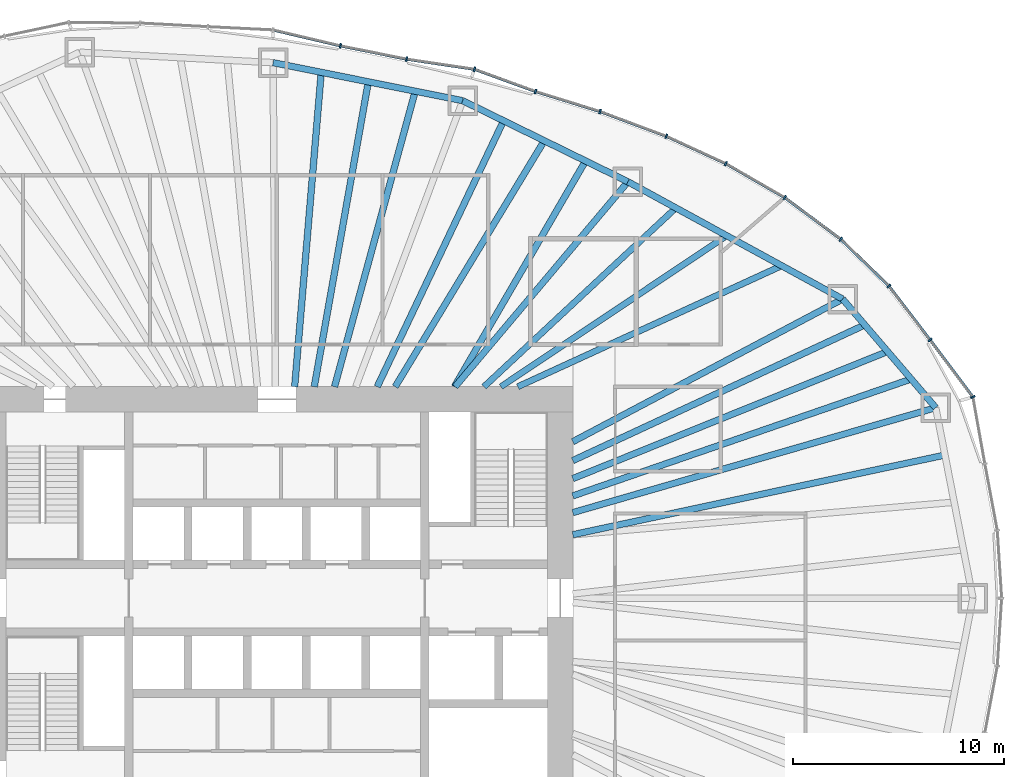
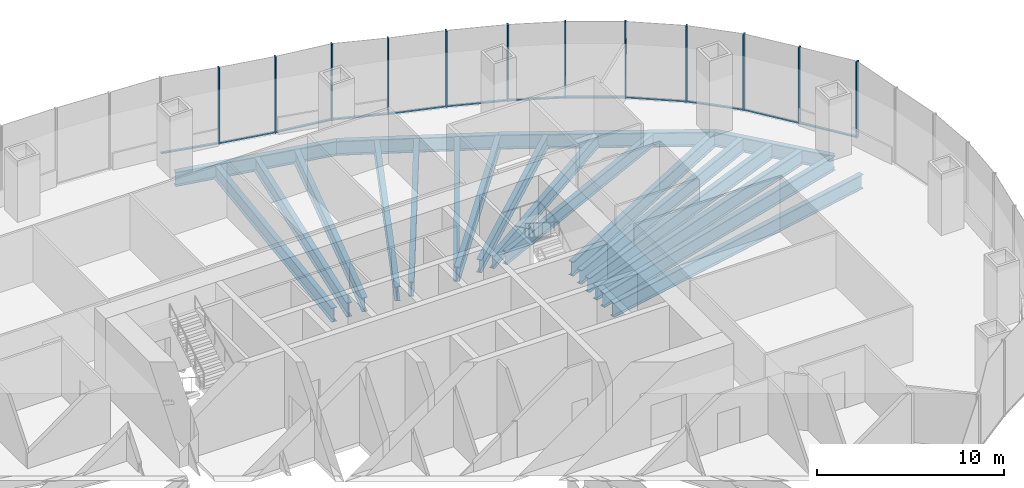
# One storey, part 6 of 18: 24 members, 20 beams, 4 elements without a shape of their own.
"""IFC4 building model written with IfcOpenShell, lengths in metres."""

from ifc_helpers import new_model, si_unit, direction, frame, origin, origin_2d, place, context, subcontext, project, spatial, rectangle, i_section, extrude, material, material_profile, profile_set, type_object, element, aggregate, save


model = new_model("IFC4")

# Units and contexts
model_context = context("Model", 3, precision=1e-05, world=origin(), true_north=direction((0.0, 1.0)))
body_context = subcontext(model_context, "Body", "Model", "MODEL_VIEW")
ifc_project = project(units=[si_unit("LENGTHUNIT", "METRE"), si_unit("AREAUNIT", "SQUARE_METRE"), si_unit("VOLUMEUNIT", "CUBIC_METRE"), si_unit("PLANEANGLEUNIT", "RADIAN"), si_unit("MASSUNIT", "GRAM", prefix="KILO")], contexts=[model_context])

# Site, building, storey
site_placement = place(None, origin())
site = spatial("IfcSite", under=ifc_project, at=site_placement, CompositionType="ELEMENT")
building_placement = place(site_placement, origin())
building = spatial("IfcBuilding", under=site, at=building_placement, Name="Ghaith Harvest Tower", CompositionType="ELEMENT")
storey_placement = place(building_placement, frame((0.0, 0.0, 95.0)))
storey = spatial("IfcBuildingStorey", under=building, at=storey_placement, Name="L19", CompositionType="ELEMENT", Elevation=95.0)

# Curtain wall, members
ifc_material_1 = material(Name="Black anodised aluminium and fritted glass", Category="aluminium")
curtain_wall_type = type_object("IfcCurtainWallType", Name="CW-F CURTAIN WALL", PredefinedType="NOTDEFINED", material=ifc_material_1)
curtain_wall_1_placement = place(storey_placement, origin())
curtain_wall_1 = element("IfcCurtainWall", 1, at=curtain_wall_1_placement, inside=storey, type_object=curtain_wall_type, Name="Curtain wall CW-F bay 02 L19", PredefinedType="NOTDEFINED")
ifc_material_2 = material(Name="Aluminium, black anodised", Category="aluminium")
ifc_material_profile_1 = material_profile(ifc_material_2, rectangle(XDim=0.080078125, YDim=0.219970703125, at=origin_2d()), Name="CW-F MULLION 80x220")
ifc_profile_set_1 = profile_set([ifc_material_profile_1], Name="Aluminium, black anodised")
member_type_1 = type_object("IfcMemberType", Name="CW-F MULLION 80x220", PredefinedType="MULLION", material=ifc_profile_set_1)
member_1_placement = place(storey_placement, frame((32.923583984375, 9.515625, 0.0), z_axis=(0.0, 0.0, 1.0), x_axis=(-0.404701693729, 0.914448762421, 0.0)))
member_1 = element("IfcMember", 2, at=member_1_placement, type_object=member_type_1, Name="CW-F mullion 1 bay 02 L19", PredefinedType="MULLION", context=body_context, shape_type="SweptSolid", body=[
    extrude(rectangle(XDim=0.080078125, YDim=0.219970703125, at=origin_2d()), origin(), (0.0, 0.0, 1.0), 5.0),
])
member_2_placement = place(storey_placement, frame((30.896728515625, 12.215087890625, 0.0), z_axis=(0.0, 0.0, 1.0), x_axis=(-0.603948315345, 0.797023482961, 0.0)))
member_2 = element("IfcMember", 3, at=member_2_placement, type_object=member_type_1, Name="CW-F mullion 2 bay 02 L19", PredefinedType="MULLION", context=body_context, shape_type="SweptSolid", body=[
    extrude(rectangle(XDim=0.080078125, YDim=0.219970703125, at=origin_2d()), origin(), (0.0, 0.0, 1.0), 5.0),
])
member_3_placement = place(storey_placement, frame((28.947021484375, 14.763427734375, 0.0), z_axis=(0.0, 0.0, 1.0), x_axis=(-0.663604797296, 0.748083332929, 0.0)))
member_3 = element("IfcMember", 4, at=member_3_placement, type_object=member_type_1, Name="CW-F mullion 3 bay 02 L19", PredefinedType="MULLION", context=body_context, shape_type="SweptSolid", body=[
    extrude(rectangle(XDim=0.080078125, YDim=0.219970703125, at=origin_2d()), origin(), (0.0, 0.0, 1.0), 5.0),
])

curtain_wall_2_placement = place(storey_placement, origin())
curtain_wall_2 = element("IfcCurtainWall", 5, at=curtain_wall_2_placement, inside=storey, type_object=curtain_wall_type, Name="Curtain wall CW-F bay 03 L19", PredefinedType="NOTDEFINED")
member_4_placement = place(storey_placement, frame((26.673828125, 16.9755859375, 0.0), z_axis=(0.0, 0.0, 1.0), x_axis=(-0.762365981091, 0.647146127915, 0.0)))
member_4 = element("IfcMember", 6, at=member_4_placement, type_object=member_type_1, Name="CW-F mullion 1 bay 03 L19", PredefinedType="MULLION", context=body_context, shape_type="SweptSolid", body=[
    extrude(rectangle(XDim=0.080078125, YDim=0.219970703125, at=origin_2d()), origin(), (0.0, 0.0, 1.0), 5.0),
])
member_5_placement = place(storey_placement, frame((24.018310546875, 18.947265625, 0.0), z_axis=(0.0, 0.0, 1.0), x_axis=(-0.835443516723, 0.549576318963, 0.0)))
member_5 = element("IfcMember", 7, at=member_5_placement, type_object=member_type_1, Name="CW-F mullion 2 bay 03 L19", PredefinedType="MULLION", context=body_context, shape_type="SweptSolid", body=[
    extrude(rectangle(XDim=0.080078125, YDim=0.219970703125, at=origin_2d()), origin(), (0.0, 0.0, 1.0), 5.0),
])
member_6_placement = place(storey_placement, frame((21.2353515625, 20.552978515625, 0.0), z_axis=(0.0, 0.0, 1.0), x_axis=(-0.887896671642, 0.460042933308, 0.0)))
member_6 = element("IfcMember", 8, at=member_6_placement, type_object=member_type_1, Name="CW-F mullion 3 bay 03 L19", PredefinedType="MULLION", context=body_context, shape_type="SweptSolid", body=[
    extrude(rectangle(XDim=0.080078125, YDim=0.219970703125, at=origin_2d()), origin(), (0.0, 0.0, 1.0), 5.0),
])

curtain_wall_3_placement = place(storey_placement, origin())
curtain_wall_3 = element("IfcCurtainWall", 9, at=curtain_wall_3_placement, inside=storey, type_object=curtain_wall_type, Name="Curtain wall CW-F bay 04 L19", PredefinedType="NOTDEFINED")
member_7_placement = place(storey_placement, frame((18.422607421875, 21.8466796875, 0.0), z_axis=(0.0, 0.0, 1.0), x_axis=(-0.923910199252, 0.382609387912, 0.0)))
member_7 = element("IfcMember", 10, at=member_7_placement, type_object=member_type_1, Name="CW-F mullion 1 bay 04 L19", PredefinedType="MULLION", context=body_context, shape_type="SweptSolid", body=[
    extrude(rectangle(XDim=0.080078125, YDim=0.219970703125, at=origin_2d()), origin(), (0.0, 0.0, 1.0), 5.0),
])
member_8_placement = place(storey_placement, frame((15.28759765625, 23.01611328125, 0.0), z_axis=(0.0, 0.0, 1.0), x_axis=(-0.946121020954, 0.323813238933, 0.0)))
member_8 = element("IfcMember", 11, at=member_8_placement, type_object=member_type_1, Name="CW-F mullion 2 bay 04 L19", PredefinedType="MULLION", context=body_context, shape_type="SweptSolid", body=[
    extrude(rectangle(XDim=0.080078125, YDim=0.219970703125, at=origin_2d()), origin(), (0.0, 0.0, 1.0), 5.0),
])
member_9_placement = place(storey_placement, frame((12.234375, 23.964599609375, 0.0), z_axis=(0.0, 0.0, 1.0), x_axis=(-0.947653438436, 0.319300736957, 0.0)))
member_9 = element("IfcMember", 12, at=member_9_placement, type_object=member_type_1, Name="CW-F mullion 3 bay 04 L19", PredefinedType="MULLION", context=body_context, shape_type="SweptSolid", body=[
    extrude(rectangle(XDim=0.080078125, YDim=0.219970703125, at=origin_2d()), origin(), (0.0, 0.0, 1.0), 5.0),
])

curtain_wall_4_placement = place(storey_placement, origin())
curtain_wall_4 = element("IfcCurtainWall", 13, at=curtain_wall_4_placement, inside=storey, type_object=curtain_wall_type, Name="Curtain wall CW-F bay 05 L19", PredefinedType="NOTDEFINED")
member_10_placement = place(storey_placement, frame((9.351806640625, 25.01611328125, 0.0), z_axis=(0.0, 0.0, 1.0), x_axis=(-0.969903429236, 0.243489913461, 0.0)))
member_10 = element("IfcMember", 14, at=member_10_placement, type_object=member_type_1, Name="CW-F mullion 1 bay 05 L19", PredefinedType="MULLION", context=body_context, shape_type="SweptSolid", body=[
    extrude(rectangle(XDim=0.080078125, YDim=0.219970703125, at=origin_2d()), origin(), (0.0, 0.0, 1.0), 5.0),
])
member_11_placement = place(storey_placement, frame((6.136962890625, 25.495361328125, 0.0), z_axis=(0.0, 0.0, 1.0), x_axis=(-0.985103843977, 0.171960508788, 0.0)))
member_11 = element("IfcMember", 15, at=member_11_placement, type_object=member_type_1, Name="CW-F mullion 2 bay 05 L19", PredefinedType="MULLION", context=body_context, shape_type="SweptSolid", body=[
    extrude(rectangle(XDim=0.080078125, YDim=0.219970703125, at=origin_2d()), origin(), (0.0, 0.0, 1.0), 5.0),
])
member_12_placement = place(storey_placement, frame((3.00927734375, 26.123291015625, 0.0), z_axis=(0.0, 0.0, 1.0), x_axis=(-0.976927332869, 0.213571969822, 0.0)))
member_12 = element("IfcMember", 16, at=member_12_placement, type_object=member_type_1, Name="CW-F mullion 3 bay 05 L19", PredefinedType="MULLION", context=body_context, shape_type="SweptSolid", body=[
    extrude(rectangle(XDim=0.080078125, YDim=0.219970703125, at=origin_2d()), origin(), (0.0, 0.0, 1.0), 5.0),
])

# Member
ifc_material_3 = material(Name="Aluminium, black anodised", Category="aluminium")
ifc_material_profile_2 = material_profile(ifc_material_3, rectangle(XDim=0.139892578125, YDim=0.080078125, at=origin_2d()), Name="CW-F TRANSOM 140x80")
ifc_profile_set_2 = profile_set([ifc_material_profile_2], Name="Aluminium, black anodised")
member_type_2 = type_object("IfcMemberType", Name="CW-F TRANSOM 140x80", PredefinedType="USERDEFINED", material=ifc_profile_set_2)
member_13_placement = place(storey_placement, frame((32.899658203125, 9.547607421875, 0.0400390625), z_axis=(-0.600462135687, 0.799653189581, 0.0), x_axis=(-0.799653189581, -0.600462135687, 0.0)))
member_13 = element("IfcMember", 17, at=member_13_placement, type_object=member_type_2, Name="CW-F transom 1 bay 02 L19", ObjectType="TRANSOM", PredefinedType="USERDEFINED", context=body_context, shape_type="SweptSolid", body=[
    extrude(rectangle(XDim=0.139892578125, YDim=0.080078125, at=origin_2d()), origin(), (0.0, 0.0, 1.0), 3.2958984375),
])

member_14_placement = place(storey_placement, frame((30.87255859375, 12.246826171875, 0.0400390625), z_axis=(-0.607638356471, 0.794213842579, 0.0), x_axis=(-0.794213842579, -0.607638356471, 0.0)))
member_14 = element("IfcMember", 18, at=member_14_placement, type_object=member_type_2, Name="CW-F transom 2 bay 02 L19", ObjectType="TRANSOM", PredefinedType="USERDEFINED", context=body_context, shape_type="SweptSolid", body=[
    extrude(rectangle(XDim=0.139892578125, YDim=0.080078125, at=origin_2d()), origin(), (0.0, 0.0, 1.0), 3.128662109375),
])

member_15_placement = place(storey_placement, frame((28.91845703125, 14.791259765625, 0.0400390625), z_axis=(-0.71671313139, 0.697368114623, 0.0), x_axis=(-0.697368114623, -0.71671313139, 0.0)))
member_15 = element("IfcMember", 19, at=member_15_placement, type_object=member_type_2, Name="CW-F transom 3 bay 02 L19", ObjectType="TRANSOM", PredefinedType="USERDEFINED", context=body_context, shape_type="SweptSolid", body=[
    extrude(rectangle(XDim=0.139892578125, YDim=0.080078125, at=origin_2d()), origin(), (0.0, 0.0, 1.0), 3.092041015625),
])

aggregate(curtain_wall_1, [member_1, member_13, member_2, member_14, member_3, member_15])

member_16_placement = place(storey_placement, frame((26.641845703125, 16.999267578125, 0.0400390625), z_axis=(-0.802877287823, 0.596144328748, 0.0), x_axis=(-0.596144328748, -0.802877287823, 0.0)))
member_16 = element("IfcMember", 20, at=member_16_placement, type_object=member_type_2, Name="CW-F transom 1 bay 03 L19", ObjectType="TRANSOM", PredefinedType="USERDEFINED", context=body_context, shape_type="SweptSolid", body=[
    extrude(rectangle(XDim=0.139892578125, YDim=0.080078125, at=origin_2d()), origin(), (0.0, 0.0, 1.0), 3.2275390625),
])

member_17_placement = place(storey_placement, frame((23.983642578125, 18.96728515625, 0.0400390625), z_axis=(-0.866168719914, 0.499751686983, 0.0), x_axis=(-0.499751686983, -0.866168719914, 0.0)))
member_17 = element("IfcMember", 21, at=member_17_placement, type_object=member_type_2, Name="CW-F transom 2 bay 03 L19", ObjectType="TRANSOM", PredefinedType="USERDEFINED", context=body_context, shape_type="SweptSolid", body=[
    extrude(rectangle(XDim=0.139892578125, YDim=0.080078125, at=origin_2d()), origin(), (0.0, 0.0, 1.0), 3.1328125),
])

member_18_placement = place(storey_placement, frame((21.19921875, 20.56982421875, 0.0400390625), z_axis=(-0.908553137239, 0.417769310521, 0.0), x_axis=(-0.417769310521, -0.908553137239, 0.0)))
member_18 = element("IfcMember", 22, at=member_18_placement, type_object=member_type_2, Name="CW-F transom 3 bay 03 L19", ObjectType="TRANSOM", PredefinedType="USERDEFINED", context=body_context, shape_type="SweptSolid", body=[
    extrude(rectangle(XDim=0.139892578125, YDim=0.080078125, at=origin_2d()), origin(), (0.0, 0.0, 1.0), 3.01611328125),
])

aggregate(curtain_wall_2, [member_4, member_16, member_5, member_17, member_6, member_18])

member_19_placement = place(storey_placement, frame((18.385009765625, 21.860595703125, 0.0400390625), z_axis=(-0.936923785579, 0.349533717996, 0.0), x_axis=(-0.349533717996, -0.936923785579, 0.0)))
member_19 = element("IfcMember", 23, at=member_19_placement, type_object=member_type_2, Name="CW-F transom 1 bay 04 L19", ObjectType="TRANSOM", PredefinedType="USERDEFINED", context=body_context, shape_type="SweptSolid", body=[
    extrude(rectangle(XDim=0.139892578125, YDim=0.080078125, at=origin_2d()), origin(), (0.0, 0.0, 1.0), 3.26611328125),
])

member_20_placement = place(storey_placement, frame((15.249267578125, 23.028076171875, 0.0400390625), z_axis=(-0.954998362353, 0.296611071781, 0.0), x_axis=(-0.296611071781, -0.954998362353, 0.0)))
member_20 = element("IfcMember", 24, at=member_20_placement, type_object=member_type_2, Name="CW-F transom 2 bay 04 L19", ObjectType="TRANSOM", PredefinedType="USERDEFINED", context=body_context, shape_type="SweptSolid", body=[
    extrude(rectangle(XDim=0.139892578125, YDim=0.080078125, at=origin_2d()), origin(), (0.0, 0.0, 1.0), 3.1171875),
])

member_21_placement = place(storey_placement, frame((12.19677734375, 23.978271484375, 0.0400390625), z_axis=(-0.939437502081, 0.342720264478, 0.0), x_axis=(-0.342720264478, -0.939437502081, 0.0)))
member_21 = element("IfcMember", 25, at=member_21_placement, type_object=member_type_2, Name="CW-F transom 3 bay 04 L19", ObjectType="TRANSOM", PredefinedType="USERDEFINED", context=body_context, shape_type="SweptSolid", body=[
    extrude(rectangle(XDim=0.139892578125, YDim=0.080078125, at=origin_2d()), origin(), (0.0, 0.0, 1.0), 2.98828125),
])

aggregate(curtain_wall_3, [member_7, member_19, member_8, member_20, member_9, member_21])

member_22_placement = place(storey_placement, frame((9.312255859375, 25.02197265625, 0.0400390625), z_axis=(-0.989078238205, 0.147391447207, 0.0), x_axis=(-0.147391447207, -0.989078238205, 0.0)))
member_22 = element("IfcMember", 26, at=member_22_placement, type_object=member_type_2, Name="CW-F transom 1 bay 05 L19", ObjectType="TRANSOM", PredefinedType="USERDEFINED", context=body_context, shape_type="SweptSolid", body=[
    extrude(rectangle(XDim=0.139892578125, YDim=0.080078125, at=origin_2d()), origin(), (0.0, 0.0, 1.0), 3.17041015625),
])

member_23_placement = place(storey_placement, frame((6.097900390625, 25.503173828125, 0.0400390625), z_axis=(-0.980432471193, 0.196855707129, 0.0), x_axis=(-0.196855707129, -0.980432471193, 0.0)))
member_23 = element("IfcMember", 27, at=member_23_placement, type_object=member_type_2, Name="CW-F transom 2 bay 05 L19", ObjectType="TRANSOM", PredefinedType="USERDEFINED", context=body_context, shape_type="SweptSolid", body=[
    extrude(rectangle(XDim=0.139892578125, YDim=0.080078125, at=origin_2d()), origin(), (0.0, 0.0, 1.0), 3.1103515625),
])

member_24_placement = place(storey_placement, frame((2.97021484375, 26.132568359375, 0.0400390625), z_axis=(-0.973252867589, 0.229736491942, 0.0), x_axis=(-0.229736491942, -0.973252867589, 0.0)))
member_24 = element("IfcMember", 28, at=member_24_placement, type_object=member_type_2, Name="CW-F transom 3 bay 05 L19", ObjectType="TRANSOM", PredefinedType="USERDEFINED", context=body_context, shape_type="SweptSolid", body=[
    extrude(rectangle(XDim=0.139892578125, YDim=0.080078125, at=origin_2d()), origin(), (0.0, 0.0, 1.0), 3.200927734375),
])

aggregate(curtain_wall_4, [member_10, member_22, member_11, member_23, member_12, member_24])

# Beams
ifc_material_4 = material(Name="Steel ASTM A992 Grade 50", Category="steel")
ifc_material_profile_3 = material_profile(ifc_material_4, i_section(OverallWidth=0.306884765625, OverallDepth=0.94189453125, WebThickness=0.022216796875, FlangeThickness=0.039794921875, at=origin_2d()), Name="W920X345")
ifc_profile_set_3 = profile_set([ifc_material_profile_3], Name="Steel ASTM A992 Grade 50")
beam_type_1 = type_object("IfcBeamType", Name="E920-345 W920X345", PredefinedType="SPANDREL", material=ifc_profile_set_3)
beam_1_placement = place(storey_placement, frame((31.166015625, 9.008056640625, -0.6708984375), z_axis=(-0.65056255283, 0.759452674533, 0.0), x_axis=(-0.759452674533, -0.65056255283, 0.0)))
element("IfcBeam", 29, at=beam_1_placement, inside=storey, type_object=beam_type_1, Name="Edge beam E02 L19", PredefinedType="SPANDREL", context=body_context, shape_type="SweptSolid", body=[
    extrude(i_section(OverallWidth=0.306884765625, OverallDepth=0.94189453125, WebThickness=0.022216796875, FlangeThickness=0.039794921875, at=origin_2d()), origin(), (0.0, 0.0, 1.0), 6.7666015625),
])
beam_2_placement = place(storey_placement, frame((26.763916015625, 14.14697265625, -0.6708984375), z_axis=(-0.877588218279, 0.479415184509, 0.0), x_axis=(-0.479415184509, -0.877588218279, 0.0)))
element("IfcBeam", 30, at=beam_2_placement, inside=storey, type_object=beam_type_1, Name="Edge beam E03 L19", PredefinedType="SPANDREL", context=body_context, shape_type="SweptSolid", body=[
    extrude(i_section(OverallWidth=0.306884765625, OverallDepth=0.94189453125, WebThickness=0.022216796875, FlangeThickness=0.039794921875, at=origin_2d()), origin(), (0.0, 0.0, 1.0), 11.57275390625),
])
beam_3_placement = place(storey_placement, frame((16.60791015625, 19.695068359375, -0.6708984375), z_axis=(-0.897823733825, 0.440355019252, 0.0), x_axis=(-0.440355019252, -0.897823733825, 0.0)))
element("IfcBeam", 31, at=beam_3_placement, inside=storey, type_object=beam_type_1, Name="Edge beam E04 L19", PredefinedType="SPANDREL", context=body_context, shape_type="SweptSolid", body=[
    extrude(i_section(OverallWidth=0.306884765625, OverallDepth=0.94189453125, WebThickness=0.022216796875, FlangeThickness=0.039794921875, at=origin_2d()), origin(), (0.0, 0.0, 1.0), 8.7021484375),
])
beam_4_placement = place(storey_placement, frame((8.794921875, 23.527099609375, -0.6708984375), z_axis=(-0.980450082464, 0.196767974517, 0.0), x_axis=(-0.196767974517, -0.980450082464, 0.0)))
element("IfcBeam", 32, at=beam_4_placement, inside=storey, type_object=beam_type_1, Name="Edge beam E05 L19", PredefinedType="SPANDREL", context=body_context, shape_type="SweptSolid", body=[
    extrude(i_section(OverallWidth=0.306884765625, OverallDepth=0.94189453125, WebThickness=0.022216796875, FlangeThickness=0.039794921875, at=origin_2d()), origin(), (0.0, 0.0, 1.0), 9.146728515625),
])
ifc_material_5 = material(Name="Steel ASTM A992 Grade 50", Category="steel")
ifc_material_profile_4 = material_profile(ifc_material_5, i_section(OverallWidth=0.306884765625, OverallDepth=0.94189453125, WebThickness=0.022216796875, FlangeThickness=0.039794921875, at=origin_2d()), Name="W920X345")
ifc_profile_set_4 = profile_set([ifc_material_profile_4], Name="Steel ASTM A992 Grade 50")
beam_type_2 = type_object("IfcBeamType", Name="G920-345 W920X345", PredefinedType="BEAM", material=ifc_profile_set_4)
beam_5_placement = place(storey_placement, frame((14.0, 4.04638671875, -0.6708984375), z_axis=(0.960675395102, 0.277673882903, 0.0), x_axis=(-0.277673882903, 0.960675395102, 0.0)))
element("IfcBeam", 33, at=beam_5_placement, inside=storey, type_object=beam_type_2, Name="Radial girder G02 L19", PredefinedType="BEAM", context=body_context, shape_type="SweptSolid", body=[
    extrude(i_section(OverallWidth=0.306884765625, OverallDepth=0.94189453125, WebThickness=0.022216796875, FlangeThickness=0.039794921875, at=origin_2d()), origin(), (0.0, 0.0, 1.0), 17.86865234375),
])
beam_6_placement = place(storey_placement, frame((14.0, 7.39990234375, -0.6708984375), z_axis=(0.884082663971, 0.467330550324, 0.0), x_axis=(-0.467330550324, 0.884082663971, 0.0)))
element("IfcBeam", 34, at=beam_6_placement, inside=storey, type_object=beam_type_2, Name="Radial girder G03 L19", PredefinedType="BEAM", context=body_context, shape_type="SweptSolid", body=[
    extrude(i_section(OverallWidth=0.306884765625, OverallDepth=0.94189453125, WebThickness=0.022216796875, FlangeThickness=0.039794921875, at=origin_2d()), origin(), (0.0, 0.0, 1.0), 14.4375),
])
beam_7_placement = place(storey_placement, frame((8.4326171875, 10.0, -0.6708984375), z_axis=(0.644644245772, 0.764482698557, 0.0), x_axis=(-0.764482698557, 0.644644245772, 0.0)))
element("IfcBeam", 35, at=beam_7_placement, inside=storey, type_object=beam_type_2, Name="Radial girder G04 L19", PredefinedType="BEAM", context=body_context, shape_type="SweptSolid", body=[
    extrude(i_section(OverallWidth=0.306884765625, OverallDepth=0.94189453125, WebThickness=0.022216796875, FlangeThickness=0.039794921875, at=origin_2d()), origin(), (0.0, 0.0, 1.0), 12.681884765625),
])
ifc_material_6 = material(Name="Steel ASTM A992 Grade 50", Category="steel")
ifc_material_profile_5 = material_profile(ifc_material_6, i_section(OverallWidth=0.2939453125, OverallDepth=0.85107421875, WebThickness=0.01611328125, FlangeThickness=0.02685546875, at=origin_2d()), Name="W840X226")
ifc_profile_set_5 = profile_set([ifc_material_profile_5], Name="Steel ASTM A992 Grade 50")
beam_type_3 = type_object("IfcBeamType", Name="J840-226 W840X226", PredefinedType="JOIST", material=ifc_profile_set_5)
beam_8_placement = place(storey_placement, frame((11.39990234375, 10.0, -0.62548828125), z_axis=(0.909014022454, 0.416765529983, 0.0), x_axis=(-0.416765529983, 0.909014022454, 0.0)))
element("IfcBeam", 36, at=beam_8_placement, inside=storey, type_object=beam_type_3, Name="Joist J03.1 L19", PredefinedType="JOIST", context=body_context, shape_type="SweptSolid", body=[
    extrude(i_section(OverallWidth=0.2939453125, OverallDepth=0.85107421875, WebThickness=0.01611328125, FlangeThickness=0.02685546875, at=origin_2d()), origin(), (0.0, 0.0, 1.0), 13.72998046875),
])
beam_9_placement = place(storey_placement, frame((10.60009765625, 10.0, -0.62548828125), z_axis=(0.831116486766, 0.556098359489, 0.0), x_axis=(-0.556098359489, 0.831116486766, 0.0)))
element("IfcBeam", 37, at=beam_9_placement, inside=storey, type_object=beam_type_3, Name="Joist J03.2 L19", PredefinedType="JOIST", context=body_context, shape_type="SweptSolid", body=[
    extrude(i_section(OverallWidth=0.2939453125, OverallDepth=0.85107421875, WebThickness=0.01611328125, FlangeThickness=0.02685546875, at=origin_2d()), origin(), (0.0, 0.0, 1.0), 12.84716796875),
])
beam_10_placement = place(storey_placement, frame((9.800048828125, 10.0, -0.62548828125), z_axis=(0.731538123562, 0.681800538116, 0.0), x_axis=(-0.681800538116, 0.731538123562, 0.0)))
element("IfcBeam", 38, at=beam_10_placement, inside=storey, type_object=beam_type_3, Name="Joist J03.3 L19", PredefinedType="JOIST", context=body_context, shape_type="SweptSolid", body=[
    extrude(i_section(OverallWidth=0.2939453125, OverallDepth=0.85107421875, WebThickness=0.01611328125, FlangeThickness=0.02685546875, at=origin_2d()), origin(), (0.0, 0.0, 1.0), 12.404052734375),
])
ifc_material_7 = material(Name="Steel ASTM A992 Grade 50", Category="steel")
ifc_material_profile_6 = material_profile(ifc_material_7, i_section(OverallWidth=0.31005859375, OverallDepth=0.927001953125, WebThickness=0.019287109375, FlangeThickness=0.031982421875, at=origin_2d()), Name="W920X289")
ifc_profile_set_6 = profile_set([ifc_material_profile_6], Name="Steel ASTM A992 Grade 50")
beam_type_4 = type_object("IfcBeamType", Name="J920-289 W920X289", PredefinedType="JOIST", material=ifc_profile_set_6)
beam_11_placement = place(storey_placement, frame((14.0, 6.506103515625, -0.66357421875), z_axis=(0.906862619792, 0.421426374144, 0.0), x_axis=(-0.421426374144, 0.906862619792, 0.0)))
element("IfcBeam", 39, at=beam_11_placement, inside=storey, type_object=beam_type_4, Name="Joist J02.3 L19", PredefinedType="JOIST", context=body_context, shape_type="SweptSolid", body=[
    extrude(i_section(OverallWidth=0.31005859375, OverallDepth=0.927001953125, WebThickness=0.019287109375, FlangeThickness=0.031982421875, at=origin_2d()), origin(), (0.0, 0.0, 1.0), 15.229736328125),
])
beam_12_placement = place(storey_placement, frame((8.39990234375, 10.0, -0.66357421875), z_axis=(0.50228574324, 0.864701701246, 0.0), x_axis=(-0.864701701246, 0.50228574324, 0.0)))
element("IfcBeam", 40, at=beam_12_placement, inside=storey, type_object=beam_type_4, Name="Joist J04.1 L19", PredefinedType="JOIST", context=body_context, shape_type="SweptSolid", body=[
    extrude(i_section(OverallWidth=0.31005859375, OverallDepth=0.927001953125, WebThickness=0.019287109375, FlangeThickness=0.031982421875, at=origin_2d()), origin(), (0.0, 0.0, 1.0), 12.349365234375),
])
beam_13_placement = place(storey_placement, frame((5.60009765625, 10.0, -0.66357421875), z_axis=(0.518319612023, 0.85518698528, 0.0), x_axis=(-0.85518698528, 0.518319612023, 0.0)))
element("IfcBeam", 41, at=beam_13_placement, inside=storey, type_object=beam_type_4, Name="Joist J04.2 L19", PredefinedType="JOIST", context=body_context, shape_type="SweptSolid", body=[
    extrude(i_section(OverallWidth=0.31005859375, OverallDepth=0.927001953125, WebThickness=0.019287109375, FlangeThickness=0.031982421875, at=origin_2d()), origin(), (0.0, 0.0, 1.0), 13.60546875),
])
beam_14_placement = place(storey_placement, frame((4.75, 10.0, -0.66357421875), z_axis=(0.429059675117, 0.903276145588, 0.0), x_axis=(-0.903276145588, 0.429059675117, 0.0)))
element("IfcBeam", 42, at=beam_14_placement, inside=storey, type_object=beam_type_4, Name="Joist J04.3 L19", PredefinedType="JOIST", context=body_context, shape_type="SweptSolid", body=[
    extrude(i_section(OverallWidth=0.31005859375, OverallDepth=0.927001953125, WebThickness=0.019287109375, FlangeThickness=0.031982421875, at=origin_2d()), origin(), (0.0, 0.0, 1.0), 13.92724609375),
])
beam_15_placement = place(storey_placement, frame((2.73095703125, 10.0, -0.66357421875), z_axis=(0.263455282447, 0.964671609487, 0.0), x_axis=(-0.964671609487, 0.263455282447, 0.0)))
element("IfcBeam", 43, at=beam_15_placement, inside=storey, type_object=beam_type_4, Name="Joist J05.1 L19", PredefinedType="JOIST", context=body_context, shape_type="SweptSolid", body=[
    extrude(i_section(OverallWidth=0.31005859375, OverallDepth=0.927001953125, WebThickness=0.019287109375, FlangeThickness=0.031982421875, at=origin_2d()), origin(), (0.0, 0.0, 1.0), 14.48974609375),
])
beam_16_placement = place(storey_placement, frame((1.772705078125, 10.0, -0.66357421875), z_axis=(0.174552574354, 0.984647855218, 0.0), x_axis=(-0.984647855218, 0.174552574354, 0.0)))
element("IfcBeam", 44, at=beam_16_placement, inside=storey, type_object=beam_type_4, Name="Joist J05.2 L19", PredefinedType="JOIST", context=body_context, shape_type="SweptSolid", body=[
    extrude(i_section(OverallWidth=0.31005859375, OverallDepth=0.927001953125, WebThickness=0.019287109375, FlangeThickness=0.031982421875, at=origin_2d()), origin(), (0.0, 0.0, 1.0), 14.648193359375),
])
beam_17_placement = place(storey_placement, frame((0.844970703125, 10.0, -0.66357421875), z_axis=(0.084219252187, 0.996447247756, 0.0), x_axis=(-0.996447247756, 0.084219252187, 0.0)))
element("IfcBeam", 45, at=beam_17_placement, inside=storey, type_object=beam_type_4, Name="Joist J05.3 L19", PredefinedType="JOIST", context=body_context, shape_type="SweptSolid", body=[
    extrude(i_section(OverallWidth=0.31005859375, OverallDepth=0.927001953125, WebThickness=0.019287109375, FlangeThickness=0.031982421875, at=origin_2d()), origin(), (0.0, 0.0, 1.0), 14.92333984375),
])
ifc_material_8 = material(Name="Steel ASTM A992 Grade 50", Category="steel")
ifc_material_profile_7 = material_profile(ifc_material_8, i_section(OverallWidth=0.306884765625, OverallDepth=0.94189453125, WebThickness=0.022216796875, FlangeThickness=0.039794921875, at=origin_2d()), Name="W920X345")
ifc_profile_set_7 = profile_set([ifc_material_profile_7], Name="Steel ASTM A992 Grade 50")
beam_type_5 = type_object("IfcBeamType", Name="J920-345 W920X345", PredefinedType="JOIST", material=ifc_profile_set_7)
beam_18_placement = place(storey_placement, frame((14.0, 3.0, -0.6708984375), z_axis=(0.977831380626, 0.209393865869, 0.0), x_axis=(-0.209393865869, 0.977831380626, 0.0)))
element("IfcBeam", 46, at=beam_18_placement, inside=storey, type_object=beam_type_5, Name="Joist J01.3 L19", PredefinedType="JOIST", context=body_context, shape_type="SweptSolid", body=[
    extrude(i_section(OverallWidth=0.306884765625, OverallDepth=0.94189453125, WebThickness=0.022216796875, FlangeThickness=0.039794921875, at=origin_2d()), origin(), (0.0, 0.0, 1.0), 18.002197265625),
])
beam_19_placement = place(storey_placement, frame((14.0, 4.835693359375, -0.6708984375), z_axis=(0.945204767809, 0.326478095607, 0.0), x_axis=(-0.326478095607, 0.945204767809, 0.0)))
element("IfcBeam", 47, at=beam_19_placement, inside=storey, type_object=beam_type_5, Name="Joist J02.1 L19", PredefinedType="JOIST", context=body_context, shape_type="SweptSolid", body=[
    extrude(i_section(OverallWidth=0.306884765625, OverallDepth=0.94189453125, WebThickness=0.022216796875, FlangeThickness=0.039794921875, at=origin_2d()), origin(), (0.0, 0.0, 1.0), 16.932373046875),
])
beam_20_placement = place(storey_placement, frame((14.0, 5.653564453125, -0.6708984375), z_axis=(0.927252192145, 0.374437407536, 0.0), x_axis=(-0.374437407536, 0.927252192145, 0.0)))
element("IfcBeam", 48, at=beam_20_placement, inside=storey, type_object=beam_type_5, Name="Joist J02.2 L19", PredefinedType="JOIST", context=body_context, shape_type="SweptSolid", body=[
    extrude(i_section(OverallWidth=0.306884765625, OverallDepth=0.94189453125, WebThickness=0.022216796875, FlangeThickness=0.039794921875, at=origin_2d()), origin(), (0.0, 0.0, 1.0), 16.057373046875),
])

save(model, "model.ifc")
